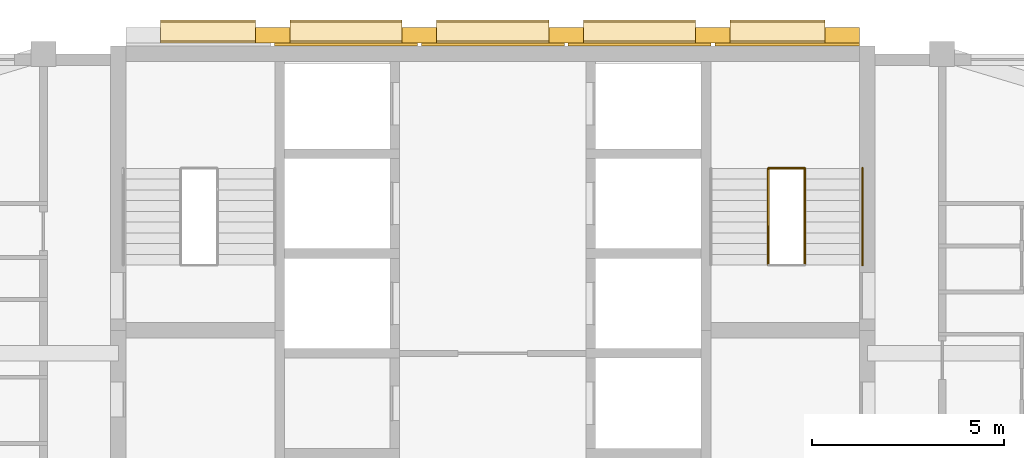
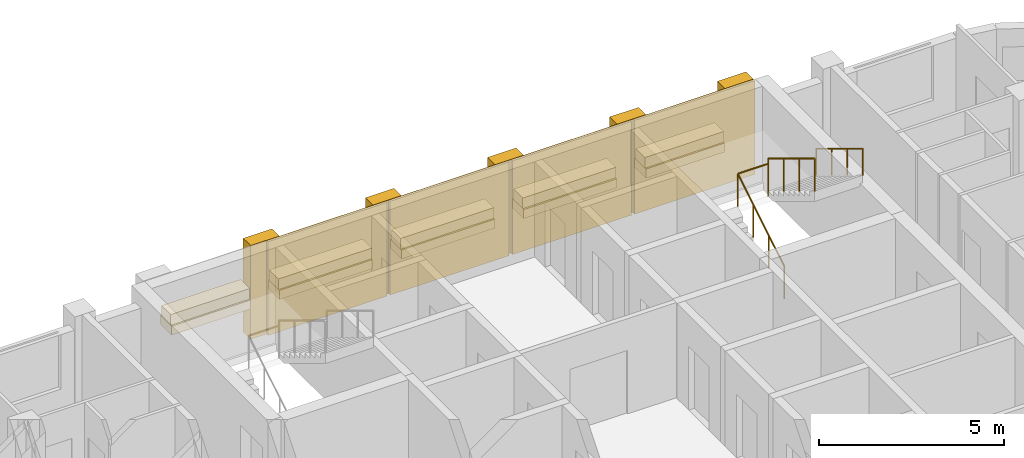
# One storey, part 13 of 13: 19 coverings, 4 railings, 1 element without a shape of its own.
"""IFC4 building model written with IfcOpenShell, lengths in metres."""

from ifc_helpers import new_model, si_unit, direction, frame, origin, origin_2d, place, context, subcontext, project, spatial, rectangle, circle, extrude, material, layer, layer_set, type_object, element, aggregate, save


model = new_model("IFC4")

# Units and contexts
model_context = context("Model", 3, precision=1e-05, world=origin(), true_north=direction((0.0, 1.0)))
body_context = subcontext(model_context, "Body", "Model", "MODEL_VIEW")
ifc_project = project(units=[si_unit("LENGTHUNIT", "METRE"), si_unit("AREAUNIT", "SQUARE_METRE"), si_unit("VOLUMEUNIT", "CUBIC_METRE"), si_unit("PLANEANGLEUNIT", "RADIAN"), si_unit("MASSUNIT", "GRAM", prefix="KILO")], contexts=[model_context])

# Site, building, storey
site_placement = place(None, origin())
site = spatial("IfcSite", under=ifc_project, at=site_placement, CompositionType="ELEMENT")
building_placement = place(site_placement, origin())
building = spatial("IfcBuilding", under=site, at=building_placement, Name="Ludao Terraces", CompositionType="ELEMENT")
storey_placement = place(building_placement, frame((0.0, 0.0, 252.800048828125)))
storey = spatial("IfcBuildingStorey", under=building, at=storey_placement, Name="L69", CompositionType="ELEMENT", Elevation=252.800048828125)

# Coverings
ifc_material_1 = material(Name="Granite cladding", Category="masonry")
ifc_layer_1 = layer(ifc_material_1, 0.39990234375)
ifc_layer_set_1 = layer_set([ifc_layer_1], Name="ENV Core pilaster stone 400")
covering_type_1 = type_object("IfcCoveringType", Name="ENV Core pilaster stone 400", PredefinedType="CLADDING", material=ifc_layer_set_1)
for number, where, z_axis, x_axis, name in (
    (1, (79.27001953125, 84.97998046875, 0.0), (0.0, 0.0, 1.0), (1.0, 0.0, 0.0), "CC-L69-PIL2"),
    (2, (83.090087890625, 84.97998046875, 0.0), (0.0, 0.0, 1.0), (1.0, 0.0, 0.0), "CC-L69-PIL3"),
    (3, (86.909912109375, 84.97998046875, 0.0), (0.0, 0.0, 1.0), (1.0, 0.0, 0.0), "CC-L69-PIL4"),
    (4, (90.72998046875, 84.97998046875, 0.0), (0.0, 0.0, 1.0), (1.0, 0.0, 0.0), "CC-L69-PIL5"),
    (5, (94.10009765625, 84.97998046875, 0.0), (0.0, 0.0, 1.0), (1.0, 0.0, 0.0), "CC-L69-PIL6"),
):
    element("IfcCovering", number, at=place(storey_placement, frame(where, z_axis=z_axis, x_axis=x_axis)), inside=storey, type_object=covering_type_1, Name=name, PredefinedType="CLADDING", context=body_context, shape_type="SweptSolid", body=[
        extrude(rectangle(XDim=0.89990234375, YDim=0.39990234375, at=origin_2d()), origin(), (0.0, 0.0, 1.0), 3.10009765625),
    ])
ifc_layer_2 = layer(ifc_material_1, 0.60009765625)
ifc_layer_set_2 = layer_set([ifc_layer_2], Name="ENV Core planting shelf stone 600")
covering_type_2 = type_object("IfcCoveringType", Name="ENV Core planting shelf stone 600", PredefinedType="CLADDING", material=ifc_layer_set_2)
covering_1_placement = place(storey_placement, frame((77.5849609375, 85.080078125, 1.0), z_axis=(0.0, 0.0, 1.0), x_axis=(1.0, 0.0, 0.0)))
element("IfcCovering", 6, at=covering_1_placement, inside=storey, type_object=covering_type_2, Name="CC-L69-SHELF1", PredefinedType="CLADDING", context=body_context, shape_type="SweptSolid", body=[
    extrude(rectangle(XDim=2.469970703125, YDim=0.60009765625, at=origin_2d()), origin(), (0.0, 0.0, 1.0), 0.300048828125),
])
for number, where, z_axis, x_axis, name in (
    (7, (81.179931640625, 85.080078125, 1.0), (0.0, 0.0, 1.0), (1.0, 0.0, 0.0), "CC-L69-SHELF2"),
    (8, (85.0, 85.080078125, 1.0), (0.0, 0.0, 1.0), (1.0, 0.0, 0.0), "CC-L69-SHELF3"),
    (9, (88.820068359375, 85.080078125, 1.0), (0.0, 0.0, 1.0), (1.0, 0.0, 0.0), "CC-L69-SHELF4"),
):
    element("IfcCovering", number, at=place(storey_placement, frame(where, z_axis=z_axis, x_axis=x_axis)), inside=storey, type_object=covering_type_2, Name=name, PredefinedType="CLADDING", context=body_context, shape_type="SweptSolid", body=[
        extrude(rectangle(XDim=2.919921875, YDim=0.60009765625, at=origin_2d()), origin(), (0.0, 0.0, 1.0), 0.300048828125),
    ])
covering_2_placement = place(storey_placement, frame((92.4150390625, 85.080078125, 1.0), z_axis=(0.0, 0.0, 1.0), x_axis=(1.0, 0.0, 0.0)))
element("IfcCovering", 10, at=covering_2_placement, inside=storey, type_object=covering_type_2, Name="CC-L69-SHELF5", PredefinedType="CLADDING", context=body_context, shape_type="SweptSolid", body=[
    extrude(rectangle(XDim=2.469970703125, YDim=0.60009765625, at=origin_2d()), origin(), (0.0, 0.0, 1.0), 0.300048828125),
])
ifc_layer_3 = layer(ifc_material_1, 0.080078125)
ifc_layer_set_3 = layer_set([ifc_layer_3], Name="ENV Core stone cladding panel 80")
covering_type_3 = type_object("IfcCoveringType", Name="ENV Core stone cladding panel 80", PredefinedType="CLADDING", material=ifc_layer_set_3)
for number, where, z_axis, x_axis, name in (
    (11, (81.179931640625, 84.739990234375, 0.0), (0.0, 0.0, 1.0), (1.0, 0.0, 0.0), "CC-L69-CORE2"),
    (12, (85.0, 84.739990234375, 0.0), (0.0, 0.0, 1.0), (1.0, 0.0, 0.0), "CC-L69-CORE3"),
    (13, (88.820068359375, 84.739990234375, 0.0), (0.0, 0.0, 1.0), (1.0, 0.0, 0.0), "CC-L69-CORE4"),
):
    element("IfcCovering", number, at=place(storey_placement, frame(where, z_axis=z_axis, x_axis=x_axis)), inside=storey, type_object=covering_type_3, Name=name, PredefinedType="CLADDING", context=body_context, shape_type="SweptSolid", body=[
        extrude(rectangle(XDim=3.719970703125, YDim=0.080078125, at=origin_2d()), origin(), (0.0, 0.0, 1.0), 3.10009765625),
    ])
covering_3_placement = place(storey_placement, frame((92.6650390625, 84.739990234375, 0.0), z_axis=(0.0, 0.0, 1.0), x_axis=(1.0, 0.0, 0.0)))
element("IfcCovering", 14, at=covering_3_placement, inside=storey, type_object=covering_type_3, Name="CC-L69-CORE5", PredefinedType="CLADDING", context=body_context, shape_type="SweptSolid", body=[
    extrude(rectangle(XDim=3.77001953125, YDim=0.080078125, at=origin_2d()), origin(), (0.0, 0.0, 1.0), 3.10009765625),
])
ifc_material_2 = material(Name="Planting")
ifc_layer_4 = layer(ifc_material_2, 0.5)
ifc_layer_set_4 = layer_set([ifc_layer_4], Name="ENV Shelf planting bed 350")
covering_type_4 = type_object("IfcCoveringType", Name="ENV Shelf planting bed 350", PredefinedType="USERDEFINED", material=ifc_layer_set_4)
covering_4_placement = place(storey_placement, frame((77.5849609375, 85.080078125, 1.2998046875), z_axis=(0.0, 0.0, 1.0), x_axis=(1.0, 0.0, 0.0)))
element("IfcCovering", 15, at=covering_4_placement, inside=storey, type_object=covering_type_4, Name="Shelf planting bed L69 1", ObjectType="PLANTING", PredefinedType="USERDEFINED", context=body_context, shape_type="SweptSolid", body=[
    extrude(rectangle(XDim=2.469970703125, YDim=0.5, at=origin_2d()), origin(), (0.0, 0.0, 1.0), 0.35009765625),
])
for number, where, z_axis, x_axis, name in (
    (16, (81.179931640625, 85.080078125, 1.2998046875), (0.0, 0.0, 1.0), (1.0, 0.0, 0.0), "Shelf planting bed L69 2"),
    (17, (85.0, 85.080078125, 1.2998046875), (0.0, 0.0, 1.0), (1.0, 0.0, 0.0), "Shelf planting bed L69 3"),
    (18, (88.820068359375, 85.080078125, 1.2998046875), (0.0, 0.0, 1.0), (1.0, 0.0, 0.0), "Shelf planting bed L69 4"),
):
    element("IfcCovering", number, at=place(storey_placement, frame(where, z_axis=z_axis, x_axis=x_axis)), inside=storey, type_object=covering_type_4, Name=name, ObjectType="PLANTING", PredefinedType="USERDEFINED", context=body_context, shape_type="SweptSolid", body=[
        extrude(rectangle(XDim=2.919921875, YDim=0.5, at=origin_2d()), origin(), (0.0, 0.0, 1.0), 0.35009765625),
    ])
covering_5_placement = place(storey_placement, frame((92.4150390625, 85.080078125, 1.2998046875), z_axis=(0.0, 0.0, 1.0), x_axis=(1.0, 0.0, 0.0)))
element("IfcCovering", 19, at=covering_5_placement, inside=storey, type_object=covering_type_4, Name="Shelf planting bed L69 5", ObjectType="PLANTING", PredefinedType="USERDEFINED", context=body_context, shape_type="SweptSolid", body=[
    extrude(rectangle(XDim=2.469970703125, YDim=0.5, at=origin_2d()), origin(), (0.0, 0.0, 1.0), 0.35009765625),
])

# Stair, railings
ifc_material_3 = material(Name="Concrete C40", Category="concrete")
stair_type = type_object("IfcStairType", Name="INT Stair", PredefinedType="HALF_TURN_STAIR", material=ifc_material_3)
stair_placement = place(storey_placement, origin())
stair = element("IfcStair", 20, at=stair_placement, inside=storey, type_object=stair_type, Name="EXIT STAIR 2", PredefinedType="HALF_TURN_STAIR")
ifc_material_4 = material(Name="Stainless steel 304", Category="steel")
railing_type_1 = type_object("IfcRailingType", Name="INT Stair guard 1100", PredefinedType="GUARDRAIL", material=ifc_material_4)
railing_1_placement = place(storey_placement, frame((92.175048828125, 79.0, 0.169921875)))
railing_1 = element("IfcRailing", 21, at=railing_1_placement, type_object=railing_type_1, Name="ST-L69-S2-R1G", PredefinedType="GUARDRAIL", context=body_context, shape_type="SweptSolid", body=[
    extrude(circle(Radius=0.02392578125, at=origin_2d()), frame((0.0, 0.0, 1.076171875), z_axis=(0.0, 0.85478489116, 0.518982456201), x_axis=(-1.0, 0.0, 0.0)), (0.0, 0.0, 1.0), 2.9482421875),
    extrude(circle(Radius=0.02099609375, at=origin_2d()), origin(), (0.0, 0.0, 1.0), 1.052001953125),
    extrude(circle(Radius=0.02099609375, at=origin_2d()), frame((0.0, 0.840087890625, 0.510009765625)), (0.0, 0.0, 1.0), 1.052001953125),
    extrude(circle(Radius=0.02099609375, at=origin_2d()), frame((0.0, 1.679931640625, 1.02001953125)), (0.0, 0.0, 1.0), 1.052001953125),
    extrude(circle(Radius=0.02099609375, at=origin_2d()), frame((0.0, 2.52001953125, 1.530029296875)), (0.0, 0.0, 1.0), 1.052001953125),
])
railing_2_placement = place(storey_placement, frame((93.125, 81.52001953125, 1.869873046875)))
railing_2 = element("IfcRailing", 22, at=railing_2_placement, type_object=railing_type_1, Name="ST-L69-S2-R2G", PredefinedType="GUARDRAIL", context=body_context, shape_type="SweptSolid", body=[
    extrude(circle(Radius=0.02392578125, at=origin_2d()), frame((0.0, 0.0, 1.076171875), z_axis=(0.0, -0.85478489116, 0.518982456201), x_axis=(1.0, 0.0, 0.0)), (0.0, 0.0, 1.0), 2.9482421875),
    extrude(circle(Radius=0.02099609375, at=origin_2d()), origin(), (0.0, 0.0, 1.0), 1.052001953125),
    extrude(circle(Radius=0.02099609375, at=origin_2d()), frame((0.0, -0.840087890625, 0.510009765625)), (0.0, 0.0, 1.0), 1.052001953125),
    extrude(circle(Radius=0.02099609375, at=origin_2d()), frame((0.0, -1.679931640625, 1.02001953125)), (0.0, 0.0, 1.0), 1.052001953125),
    extrude(circle(Radius=0.02099609375, at=origin_2d()), frame((0.0, -2.52001953125, 1.530029296875)), (0.0, 0.0, 1.0), 1.052001953125),
])
railing_3_placement = place(storey_placement, frame((92.175048828125, 81.52001953125, 1.699951171875)))
railing_3 = element("IfcRailing", 23, at=railing_3_placement, type_object=railing_type_1, Name="ST-L69-S2-E1G", PredefinedType="GUARDRAIL", context=body_context, shape_type="SweptSolid", body=[
    extrude(circle(Radius=0.02392578125, at=origin_2d()), frame((0.0, 0.0, 1.076171875), z_axis=(1.0, 0.0, 0.0), x_axis=(0.0, 1.0, 0.0)), (0.0, 0.0, 1.0), 0.949951171875),
    extrude(circle(Radius=0.02099609375, at=origin_2d()), origin(), (0.0, 0.0, 1.0), 1.052001953125),
    extrude(circle(Radius=0.02099609375, at=origin_2d()), frame((0.949951171875, 0.0, 0.0)), (0.0, 0.0, 1.0), 1.052001953125),
])
railing_type_2 = type_object("IfcRailingType", Name="INT Stair handrail 900", PredefinedType="HANDRAIL", material=ifc_material_4)
railing_4_placement = place(storey_placement, frame((94.625, 81.52001953125, 1.869873046875)))
railing_4 = element("IfcRailing", 24, at=railing_4_placement, type_object=railing_type_2, Name="ST-L69-S2-R2H", PredefinedType="HANDRAIL", context=body_context, shape_type="SweptSolid", body=[
    extrude(circle(Radius=0.02392578125, at=origin_2d()), frame((0.0, 0.0, 0.8759765625), z_axis=(0.0, -0.85478489116, 0.518982456201), x_axis=(1.0, 0.0, 0.0)), (0.0, 0.0, 1.0), 2.9482421875),
    extrude(circle(Radius=0.02099609375, at=origin_2d()), origin(), (0.0, 0.0, 1.0), 0.851806640625),
    extrude(circle(Radius=0.02099609375, at=origin_2d()), frame((0.0, -0.840087890625, 0.510009765625)), (0.0, 0.0, 1.0), 0.851806640625),
    extrude(circle(Radius=0.02099609375, at=origin_2d()), frame((0.0, -1.679931640625, 1.02001953125)), (0.0, 0.0, 1.0), 0.851806640625),
    extrude(circle(Radius=0.02099609375, at=origin_2d()), frame((0.0, -2.52001953125, 1.530029296875)), (0.0, 0.0, 1.0), 0.851806640625),
])
aggregate(stair, [railing_1, railing_2, railing_4, railing_3])

save(model, "model.ifc")
